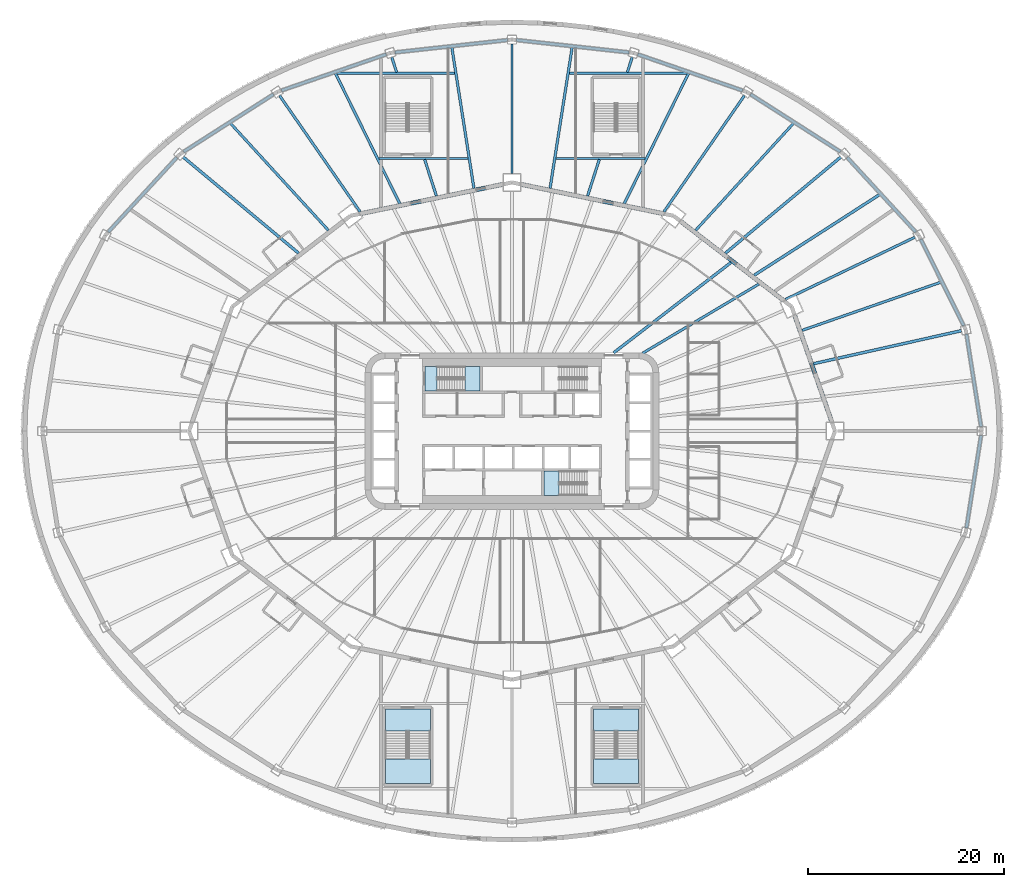
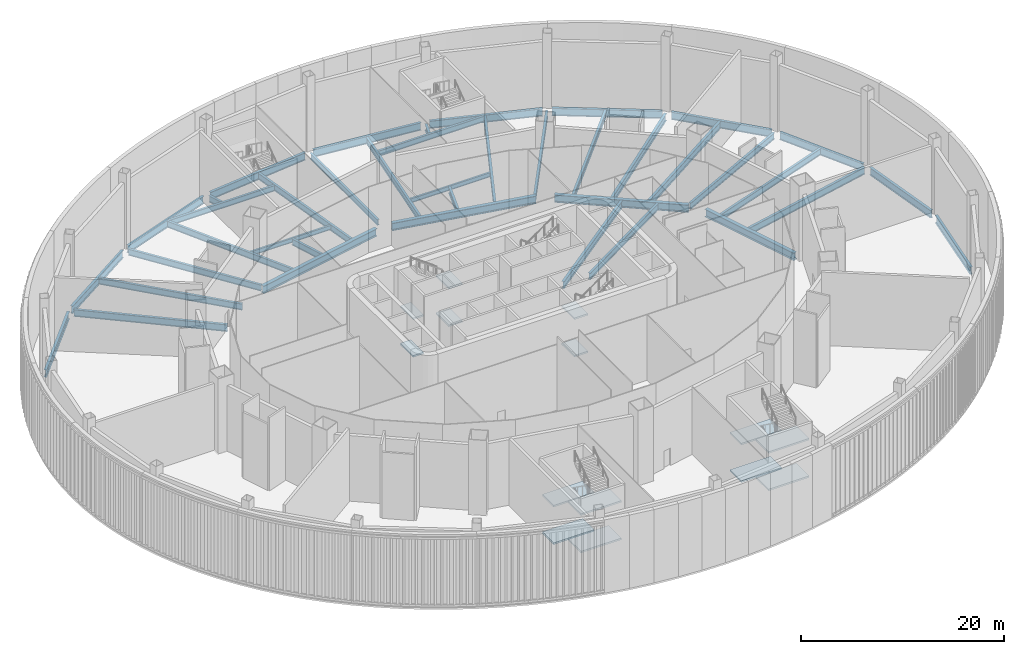
# One storey, part 3 of 35: 40 beams, 14 slabs, 4 elements without a shape of their own.
"""IFC4 building model written with IfcOpenShell, lengths in metres."""

from ifc_helpers import new_model, si_unit, direction, frame, origin, origin_2d, place, context, subcontext, project, spatial, polyline, i_section, outline, extrude, material, layer, layer_set, material_profile, profile_set, type_object, element, aggregate, save


model = new_model("IFC4")

# Units and contexts
model_context = context("Model", 3, precision=1e-05, world=origin(), true_north=direction((0.0, 1.0)))
body_context = subcontext(model_context, "Body", "Model", "MODEL_VIEW")
ifc_project = project(units=[si_unit("LENGTHUNIT", "METRE"), si_unit("AREAUNIT", "SQUARE_METRE"), si_unit("VOLUMEUNIT", "CUBIC_METRE"), si_unit("PLANEANGLEUNIT", "RADIAN"), si_unit("MASSUNIT", "GRAM", prefix="KILO")], contexts=[model_context])

# Site, building, storey
site_placement = place(None, origin())
site = spatial("IfcSite", under=ifc_project, at=site_placement, CompositionType="ELEMENT")
building_placement = place(site_placement, origin())
building = spatial("IfcBuilding", under=site, at=building_placement, Name="Sahrelin Media Tower", CompositionType="ELEMENT")
storey_placement = place(building_placement, frame((0.0, 0.0, 8.0)))
storey = spatial("IfcBuildingStorey", under=building, at=storey_placement, Name="L01", CompositionType="ELEMENT", Elevation=8.0)

# Beams
ifc_material_1 = material(Name="Steel S355", Category="steel")
ifc_material_profile_1 = material_profile(ifc_material_1, i_section(OverallWidth=0.208740234375, OverallDepth=0.5283203125, WebThickness=0.009521484375, FlangeThickness=0.01318359375, FilletRadius=0.0126953125, at=origin_2d()), Name="UB 533x210x82")
ifc_profile_set_1 = profile_set([ifc_material_profile_1], Name="Steel S355")
beam_type_1 = type_object("IfcBeamType", Name="Header beam HB6", PredefinedType="BEAM", material=ifc_profile_set_1)
for number, where, z_axis, x_axis, name in (
    (1, (13.59814453125, 27.85009765625, -0.464111328125), (-1.0, 0.0, 0.0), (0.0, -1.0, 0.0), "Header beam L01-01"),
    (2, (-4.50146484375, 27.85009765625, -0.464111328125), (-1.0, 0.0, 0.0), (0.0, -1.0, 0.0), "Header beam L01-03"),
):
    element("IfcBeam", number, at=place(storey_placement, frame(where, z_axis=z_axis, x_axis=x_axis)), inside=storey, type_object=beam_type_1, Name=name, PredefinedType="BEAM", context=body_context, shape_type="SweptSolid", body=[
        extrude(i_section(OverallWidth=0.208740234375, OverallDepth=0.5283203125, WebThickness=0.009521484375, FlangeThickness=0.01318359375, FilletRadius=0.0126953125, at=origin_2d()), origin(), (0.0, 0.0, 1.0), 9.0966796875),
    ])
ifc_material_profile_2 = material_profile(ifc_material_1, i_section(OverallWidth=0.2529296875, OverallDepth=0.677978515625, WebThickness=0.01171875, FlangeThickness=0.01611328125, FilletRadius=0.01513671875, at=origin_2d()), Name="UB 686x254x125")
ifc_profile_set_2 = profile_set([ifc_material_profile_2], Name="Steel S355")
beam_type_2 = type_object("IfcBeamType", Name="Header beam HB8", PredefinedType="BEAM", material=ifc_profile_set_2)
for number, where, z_axis, x_axis, name in (
    (3, (5.86572265625, 36.550048828125, -0.538818359375), (1.0, 0.0, 0.0), (0.0, 1.0, 0.0), "Header beam L01-02"),
    (4, (-17.892333984375, 36.550048828125, -0.538818359375), (1.0, 0.0, 0.0), (0.0, 1.0, 0.0), "Header beam L01-04"),
):
    element("IfcBeam", number, at=place(storey_placement, frame(where, z_axis=z_axis, x_axis=x_axis)), inside=storey, type_object=beam_type_2, Name=name, PredefinedType="BEAM", context=body_context, shape_type="SweptSolid", body=[
        extrude(i_section(OverallWidth=0.2529296875, OverallDepth=0.677978515625, WebThickness=0.01171875, FlangeThickness=0.01611328125, FilletRadius=0.01513671875, at=origin_2d()), origin(), (0.0, 0.0, 1.0), 12.026611328125),
    ])
ifc_material_profile_3 = material_profile(ifc_material_1, i_section(OverallWidth=0.30322265625, OverallDepth=0.903076171875, WebThickness=0.01513671875, FlangeThickness=0.020263671875, FilletRadius=0.01904296875, at=origin_2d()), Name="UB 914x305x201")
ifc_profile_set_3 = profile_set([ifc_material_profile_3], Name="Steel S355")
beam_type_3 = type_object("IfcBeamType", Name="Podium edge girder PE11", PredefinedType="BEAM", material=ifc_profile_set_3)
beam_1_placement = place(storey_placement, frame((47.928955078125, 0.449951171875, -0.651611328125), z_axis=(-0.156048991104, 0.987749316565, 0.0), x_axis=(-0.987749316565, -0.156048991104, 0.0)))
element("IfcBeam", 5, at=beam_1_placement, inside=storey, type_object=beam_type_3, Name="Podium edge girder L01-01", PredefinedType="BEAM", context=body_context, shape_type="SweptSolid", body=[
    extrude(i_section(OverallWidth=0.30322265625, OverallDepth=0.903076171875, WebThickness=0.01513671875, FlangeThickness=0.020263671875, FilletRadius=0.01904296875, at=origin_2d()), origin(), (0.0, 0.0, 1.0), 9.57470703125),
])
beam_2_placement = place(storey_placement, frame((46.158203125, 10.767822265625, -0.651611328125), z_axis=(-0.445112588569, 0.895474613541, 0.0), x_axis=(-0.895474613541, -0.445112588569, 0.0)))
element("IfcBeam", 6, at=beam_2_placement, inside=storey, type_object=beam_type_3, Name="Podium edge girder L01-02", PredefinedType="BEAM", context=body_context, shape_type="SweptSolid", body=[
    extrude(i_section(OverallWidth=0.30322265625, OverallDepth=0.903076171875, WebThickness=0.01513671875, FlangeThickness=0.020263671875, FilletRadius=0.01904296875, at=origin_2d()), origin(), (0.0, 0.0, 1.0), 9.859619140625),
])
beam_3_placement = place(storey_placement, frame((41.25048828125, 20.34619140625, -0.651611328125), z_axis=(-0.677370529771, 0.735642008995, 0.0), x_axis=(-0.735642008995, -0.677370529771, 0.0)))
element("IfcBeam", 7, at=beam_3_placement, inside=storey, type_object=beam_type_3, Name="Podium edge girder L01-03", PredefinedType="BEAM", context=body_context, shape_type="SweptSolid", body=[
    extrude(i_section(OverallWidth=0.30322265625, OverallDepth=0.903076171875, WebThickness=0.01513671875, FlangeThickness=0.020263671875, FilletRadius=0.01904296875, at=origin_2d()), origin(), (0.0, 0.0, 1.0), 10.340087890625),
])
beam_4_placement = place(storey_placement, frame((33.54345703125, 28.53857421875, -0.651611328125), z_axis=(-0.842485743715, 0.538718638657, 0.0), x_axis=(-0.538718638657, -0.842485743715, 0.0)))
element("IfcBeam", 8, at=beam_4_placement, inside=storey, type_object=beam_type_3, Name="Podium edge girder L01-04", PredefinedType="BEAM", context=body_context, shape_type="SweptSolid", body=[
    extrude(i_section(OverallWidth=0.30322265625, OverallDepth=0.903076171875, WebThickness=0.01513671875, FlangeThickness=0.020263671875, FilletRadius=0.01904296875, at=origin_2d()), origin(), (0.0, 0.0, 1.0), 10.87744140625),
])
beam_5_placement = place(storey_placement, frame((23.55810546875, 34.79345703125, -0.651611328125), z_axis=(-0.94527240249, 0.32628221694, 0.0), x_axis=(-0.32628221694, -0.94527240249, 0.0)))
element("IfcBeam", 9, at=beam_5_placement, inside=storey, type_object=beam_type_3, Name="Podium edge girder L01-05", PredefinedType="BEAM", context=body_context, shape_type="SweptSolid", body=[
    extrude(i_section(OverallWidth=0.30322265625, OverallDepth=0.903076171875, WebThickness=0.01513671875, FlangeThickness=0.020263671875, FilletRadius=0.01904296875, at=origin_2d()), origin(), (0.0, 0.0, 1.0), 11.329345703125),
])
for number, where, z_axis, x_axis, name in (
    (10, (11.966796875, 38.68701171875, -0.651611328125), (-0.994034160473, 0.109069188193, 0.0), (-0.109069188193, -0.994034160473, 0.0), "Podium edge girder L01-06"),
    (11, (-0.449951171875, 39.95068359375, -0.651611328125), (-0.994034160473, -0.109069188193, 0.0), (0.109069188193, -0.994034160473, 0.0), "Podium edge girder L01-07"),
):
    element("IfcBeam", number, at=place(storey_placement, frame(where, z_axis=z_axis, x_axis=x_axis)), inside=storey, type_object=beam_type_3, Name=name, PredefinedType="BEAM", context=body_context, shape_type="SweptSolid", body=[
        extrude(i_section(OverallWidth=0.30322265625, OverallDepth=0.903076171875, WebThickness=0.01513671875, FlangeThickness=0.020263671875, FilletRadius=0.01904296875, at=origin_2d()), origin(), (0.0, 0.0, 1.0), 11.5859375),
    ])
beam_6_placement = place(storey_placement, frame((-12.848876953125, 38.489990234375, -0.651611328125), z_axis=(-0.94527240249, -0.32628221694, 0.0), x_axis=(0.32628221694, -0.94527240249, 0.0)))
element("IfcBeam", 12, at=beam_6_placement, inside=storey, type_object=beam_type_3, Name="Podium edge girder L01-08", PredefinedType="BEAM", context=body_context, shape_type="SweptSolid", body=[
    extrude(i_section(OverallWidth=0.30322265625, OverallDepth=0.903076171875, WebThickness=0.01513671875, FlangeThickness=0.020263671875, FilletRadius=0.01904296875, at=origin_2d()), origin(), (0.0, 0.0, 1.0), 11.329345703125),
])
beam_7_placement = place(storey_placement, frame((-24.37939453125, 34.3984375, -0.651611328125), z_axis=(-0.842485743715, -0.538718638657, 0.0), x_axis=(0.538718638657, -0.842485743715, 0.0)))
element("IfcBeam", 13, at=beam_7_placement, inside=storey, type_object=beam_type_3, Name="Podium edge girder L01-09", PredefinedType="BEAM", context=body_context, shape_type="SweptSolid", body=[
    extrude(i_section(OverallWidth=0.30322265625, OverallDepth=0.903076171875, WebThickness=0.01513671875, FlangeThickness=0.020263671875, FilletRadius=0.01904296875, at=origin_2d()), origin(), (0.0, 0.0, 1.0), 10.87744140625),
])
beam_8_placement = place(storey_placement, frame((-34.246337890625, 27.952880859375, -0.651611328125), z_axis=(-0.677370529771, -0.735642008995, 0.0), x_axis=(0.735642008995, -0.677370529771, 0.0)))
element("IfcBeam", 14, at=beam_8_placement, inside=storey, type_object=beam_type_3, Name="Podium edge girder L01-10", PredefinedType="BEAM", context=body_context, shape_type="SweptSolid", body=[
    extrude(i_section(OverallWidth=0.30322265625, OverallDepth=0.903076171875, WebThickness=0.01513671875, FlangeThickness=0.020263671875, FilletRadius=0.01904296875, at=origin_2d()), origin(), (0.0, 0.0, 1.0), 10.340087890625),
])
beam_9_placement = place(storey_placement, frame((46.434814453125, -9.907470703125, -0.651611328125), z_axis=(0.156048991104, 0.987749316565, 0.0), x_axis=(-0.987749316565, 0.156048991104, 0.0)))
element("IfcBeam", 15, at=beam_9_placement, inside=storey, type_object=beam_type_3, Name="Podium edge girder L01-24", PredefinedType="BEAM", context=body_context, shape_type="SweptSolid", body=[
    extrude(i_section(OverallWidth=0.30322265625, OverallDepth=0.903076171875, WebThickness=0.01513671875, FlangeThickness=0.020263671875, FilletRadius=0.01904296875, at=origin_2d()), origin(), (0.0, 0.0, 1.0), 9.57470703125),
])
ifc_material_profile_4 = material_profile(ifc_material_1, i_section(OverallWidth=0.41845703125, OverallDepth=0.911865234375, WebThickness=0.019287109375, FlangeThickness=0.031982421875, FilletRadius=0.024169921875, at=origin_2d()), Name="UB 914x419x343")
ifc_profile_set_4 = profile_set([ifc_material_profile_4], Name="Steel S355")
beam_type_4 = type_object("IfcBeamType", Name="Podium ring girder PG12", PredefinedType="BEAM", material=ifc_profile_set_4)
beam_10_placement = place(storey_placement, frame((32.686767578125, 0.89990234375, -0.656005859375), z_axis=(-0.328773851324, 0.944408679908, 0.0), x_axis=(-0.944408679908, -0.328773851324, 0.0)))
element("IfcBeam", 16, at=beam_10_placement, inside=storey, type_object=beam_type_4, Name="Podium girder L01-01", PredefinedType="BEAM", context=body_context, shape_type="SweptSolid", body=[
    extrude(i_section(OverallWidth=0.41845703125, OverallDepth=0.911865234375, WebThickness=0.019287109375, FlangeThickness=0.031982421875, FilletRadius=0.024169921875, at=origin_2d()), origin(), (0.0, 0.0, 1.0), 11.591552734375),
])
beam_11_placement = place(storey_placement, frame((27.767578125, 13.324462890625, -0.656005859375), z_axis=(-0.792445416108, 0.609942835428, 0.0), x_axis=(-0.609942835428, -0.792445416108, 0.0)))
element("IfcBeam", 17, at=beam_11_placement, inside=storey, type_object=beam_type_4, Name="Podium girder L01-02", PredefinedType="BEAM", context=body_context, shape_type="SweptSolid", body=[
    extrude(i_section(OverallWidth=0.41845703125, OverallDepth=0.911865234375, WebThickness=0.019287109375, FlangeThickness=0.031982421875, FilletRadius=0.024169921875, at=origin_2d()), origin(), (0.0, 0.0, 1.0), 13.318603515625),
])
for number, where, z_axis, x_axis, name in (
    (18, (15.525634765625, 22.197998046875, -0.656005859375), (-0.979388513106, 0.201985495508, 0.0), (-0.201985495508, -0.979388513106, 0.0), "Podium girder L01-03"),
    (19, (-0.89990234375, 25.21435546875, -0.656005859375), (-0.979388513106, -0.201985495508, 0.0), (0.201985495508, -0.979388513106, 0.0), "Podium girder L01-04"),
):
    element("IfcBeam", number, at=place(storey_placement, frame(where, z_axis=z_axis, x_axis=x_axis)), inside=storey, type_object=beam_type_4, Name=name, PredefinedType="BEAM", context=body_context, shape_type="SweptSolid", body=[
        extrude(i_section(OverallWidth=0.41845703125, OverallDepth=0.911865234375, WebThickness=0.019287109375, FlangeThickness=0.031982421875, FilletRadius=0.024169921875, at=origin_2d()), origin(), (0.0, 0.0, 1.0), 14.93359375),
    ])
ifc_material_profile_5 = material_profile(ifc_material_1, i_section(OverallWidth=0.291748046875, OverallDepth=0.8349609375, WebThickness=0.013916015625, FlangeThickness=0.018798828125, FilletRadius=0.017822265625, at=origin_2d()), Name="UB 838x292x176")
ifc_profile_set_5 = profile_set([ifc_material_profile_5], Name="Steel S355")
beam_type_5 = type_object("IfcBeamType", Name="Radial primary beam PB10", PredefinedType="BEAM", material=ifc_profile_set_5)
beam_12_placement = place(storey_placement, frame((10.393798828125, 8.0, -0.617431640625), z_axis=(0.79244196099, 0.609947324335, 0.0), x_axis=(-0.609947324335, 0.79244196099, 0.0)))
element("IfcBeam", 20, at=beam_12_placement, inside=storey, type_object=beam_type_5, Name="Radial beam L01-04", PredefinedType="BEAM", context=body_context, shape_type="SweptSolid", body=[
    extrude(i_section(OverallWidth=0.291748046875, OverallDepth=0.8349609375, WebThickness=0.013916015625, FlangeThickness=0.018798828125, FilletRadius=0.017822265625, at=origin_2d()), origin(), (0.0, 0.0, 1.0), 15.1103515625),
])
beam_13_placement = place(storey_placement, frame((30.825439453125, 6.883056640625, -0.617431640625), z_axis=(0.975966755314, 0.217919463385, 0.0), x_axis=(-0.217919463385, 0.975966755314, 0.0)))
element("IfcBeam", 21, at=beam_13_placement, inside=storey, type_object=beam_type_5, Name="Radial beam L01-02", PredefinedType="BEAM", context=body_context, shape_type="SweptSolid", body=[
    extrude(i_section(OverallWidth=0.291748046875, OverallDepth=0.8349609375, WebThickness=0.013916015625, FlangeThickness=0.018798828125, FilletRadius=0.017822265625, at=origin_2d()), origin(), (0.0, 0.0, 1.0), 15.4716796875),
])
for number, where, z_axis, x_axis, name in (
    (22, (21.809326171875, 18.174560546875, -0.617431640625), (0.768229105739, 0.640175008178, 0.0), (-0.640175008178, 0.768229105739, 0.0), "Radial beam L01-04"),
    (23, (-21.809326171875, 18.174560546875, -0.617431640625), (-0.768229105739, 0.640175008178, 0.0), (-0.640175008178, -0.768229105739, 0.0), "Radial beam L01-12"),
):
    element("IfcBeam", number, at=place(storey_placement, frame(where, z_axis=z_axis, x_axis=x_axis)), inside=storey, type_object=beam_type_5, Name=name, PredefinedType="BEAM", context=body_context, shape_type="SweptSolid", body=[
        extrude(i_section(OverallWidth=0.291748046875, OverallDepth=0.8349609375, WebThickness=0.013916015625, FlangeThickness=0.018798828125, FilletRadius=0.017822265625, at=origin_2d()), origin(), (0.0, 0.0, 1.0), 15.342041015625),
    ])
ifc_material_profile_6 = material_profile(ifc_material_1, i_section(OverallWidth=0.2529296875, OverallDepth=0.677978515625, WebThickness=0.01171875, FlangeThickness=0.01611328125, FilletRadius=0.01513671875, at=origin_2d()), Name="UB 686x254x125")
ifc_profile_set_6 = profile_set([ifc_material_profile_6], Name="Steel S355")
beam_type_6 = type_object("IfcBeamType", Name="Radial primary beam PB8", PredefinedType="BEAM", material=ifc_profile_set_6)
beam_14_placement = place(storey_placement, frame((0.0, 26.300048828125, -0.538818359375), z_axis=(0.0, 1.0, 0.0), x_axis=(-1.0, 0.0, 0.0)))
element("IfcBeam", 24, at=beam_14_placement, inside=storey, type_object=beam_type_6, Name="Radial beam L01-08", PredefinedType="BEAM", context=body_context, shape_type="SweptSolid", body=[
    extrude(i_section(OverallWidth=0.2529296875, OverallDepth=0.677978515625, WebThickness=0.01171875, FlangeThickness=0.01611328125, FilletRadius=0.01513671875, at=origin_2d()), origin(), (0.0, 0.0, 1.0), 13.25),
])
ifc_material_profile_7 = material_profile(ifc_material_1, i_section(OverallWidth=0.26513671875, OverallDepth=0.75390625, WebThickness=0.0126953125, FlangeThickness=0.017578125, FilletRadius=0.0166015625, at=origin_2d()), Name="UB 762x267x147")
ifc_profile_set_7 = profile_set([ifc_material_profile_7], Name="Steel S355")
beam_type_7 = type_object("IfcBeamType", Name="Radial primary beam PB9", PredefinedType="BEAM", material=ifc_profile_set_7)
beam_15_placement = place(storey_placement, frame((27.950439453125, 13.44775390625, -0.576904296875), z_axis=(0.901130102072, 0.433548773657, 0.0), x_axis=(-0.433548773657, 0.901130102072, 0.0)))
element("IfcBeam", 25, at=beam_15_placement, inside=storey, type_object=beam_type_7, Name="Radial beam L01-03", PredefinedType="BEAM", context=body_context, shape_type="SweptSolid", body=[
    extrude(i_section(OverallWidth=0.26513671875, OverallDepth=0.75390625, WebThickness=0.0126953125, FlangeThickness=0.017578125, FilletRadius=0.0166015625, at=origin_2d()), origin(), (0.0, 0.0, 1.0), 14.6630859375),
])
beam_16_placement = place(storey_placement, frame((15.527099609375, 22.411376953125, -0.576904296875), z_axis=(0.569493278726, 0.821995988729, 0.0), x_axis=(-0.821995988729, 0.569493278726, 0.0)))
element("IfcBeam", 26, at=beam_16_placement, inside=storey, type_object=beam_type_7, Name="Radial beam L01-05", PredefinedType="BEAM", context=body_context, shape_type="SweptSolid", body=[
    extrude(i_section(OverallWidth=0.26513671875, OverallDepth=0.75390625, WebThickness=0.0126953125, FlangeThickness=0.017578125, FilletRadius=0.0166015625, at=origin_2d()), origin(), (0.0, 0.0, 1.0), 14.427734375),
])
beam_17_placement = place(storey_placement, frame((7.7236328125, 24.020751953125, -0.576904296875), z_axis=(0.30607575523, 0.952007159669, 0.0), x_axis=(-0.952007159669, 0.30607575523, 0.0)))
element("IfcBeam", 27, at=beam_17_placement, inside=storey, type_object=beam_type_7, Name="Radial beam L01-06", PredefinedType="BEAM", context=body_context, shape_type="SweptSolid", body=[
    extrude(i_section(OverallWidth=0.26513671875, OverallDepth=0.75390625, WebThickness=0.0126953125, FlangeThickness=0.017578125, FilletRadius=0.0166015625, at=origin_2d()), origin(), (0.0, 0.0, 1.0), 3.917236328125),
])
beam_18_placement = place(storey_placement, frame((11.784423828125, 36.64990234375, -0.576904296875), z_axis=(0.306144333921, 0.951985108501, 0.0), x_axis=(-0.951985108501, 0.306144333921, 0.0)))
element("IfcBeam", 28, at=beam_18_placement, inside=storey, type_object=beam_type_7, Name="Radial beam L01-07", PredefinedType="BEAM", context=body_context, shape_type="SweptSolid", body=[
    extrude(i_section(OverallWidth=0.26513671875, OverallDepth=0.75390625, WebThickness=0.0126953125, FlangeThickness=0.017578125, FilletRadius=0.0166015625, at=origin_2d()), origin(), (0.0, 0.0, 1.0), 1.63720703125),
])
beam_19_placement = place(storey_placement, frame((-7.7236328125, 24.020751953125, -0.576904296875), z_axis=(-0.30607575523, 0.952007159669, 0.0), x_axis=(-0.952007159669, -0.30607575523, 0.0)))
element("IfcBeam", 29, at=beam_19_placement, inside=storey, type_object=beam_type_7, Name="Radial beam L01-09", PredefinedType="BEAM", context=body_context, shape_type="SweptSolid", body=[
    extrude(i_section(OverallWidth=0.26513671875, OverallDepth=0.75390625, WebThickness=0.0126953125, FlangeThickness=0.017578125, FilletRadius=0.0166015625, at=origin_2d()), origin(), (0.0, 0.0, 1.0), 3.917236328125),
])
beam_20_placement = place(storey_placement, frame((-11.784423828125, 36.64990234375, -0.576904296875), z_axis=(-0.306144333921, 0.951985108501, 0.0), x_axis=(-0.951985108501, -0.306144333921, 0.0)))
element("IfcBeam", 30, at=beam_20_placement, inside=storey, type_object=beam_type_7, Name="Radial beam L01-10", PredefinedType="BEAM", context=body_context, shape_type="SweptSolid", body=[
    extrude(i_section(OverallWidth=0.26513671875, OverallDepth=0.75390625, WebThickness=0.0126953125, FlangeThickness=0.017578125, FilletRadius=0.0166015625, at=origin_2d()), origin(), (0.0, 0.0, 1.0), 1.63720703125),
])
beam_21_placement = place(storey_placement, frame((-15.527099609375, 22.411376953125, -0.576904296875), z_axis=(-0.569493278726, 0.821995988729, 0.0), x_axis=(-0.821995988729, -0.569493278726, 0.0)))
element("IfcBeam", 31, at=beam_21_placement, inside=storey, type_object=beam_type_7, Name="Radial beam L01-11", PredefinedType="BEAM", context=body_context, shape_type="SweptSolid", body=[
    extrude(i_section(OverallWidth=0.26513671875, OverallDepth=0.75390625, WebThickness=0.0126953125, FlangeThickness=0.017578125, FilletRadius=0.0166015625, at=origin_2d()), origin(), (0.0, 0.0, 1.0), 14.427734375),
])
ifc_material_profile_8 = material_profile(ifc_material_1, i_section(OverallWidth=0.291748046875, OverallDepth=0.8349609375, WebThickness=0.013916015625, FlangeThickness=0.018798828125, FilletRadius=0.017822265625, at=origin_2d()), Name="UB 838x292x176")
ifc_profile_set_8 = profile_set([ifc_material_profile_8], Name="Steel S355")
beam_type_8 = type_object("IfcBeamType", Name="Radial secondary beam SB10", PredefinedType="BEAM", material=ifc_profile_set_8)
beam_22_placement = place(storey_placement, frame((24.744140625, 15.91552734375, -0.617431640625), z_axis=(0.84104292767, 0.540968385228, 0.0), x_axis=(-0.540968385228, 0.84104292767, 0.0)))
element("IfcBeam", 32, at=beam_22_placement, inside=storey, type_object=beam_type_8, Name="Secondary beam L01-03", PredefinedType="BEAM", context=body_context, shape_type="SweptSolid", body=[
    extrude(i_section(OverallWidth=0.291748046875, OverallDepth=0.8349609375, WebThickness=0.013916015625, FlangeThickness=0.018798828125, FilletRadius=0.017822265625, at=origin_2d()), origin(), (0.0, 0.0, 1.0), 15.218505859375),
])
ifc_material_profile_9 = material_profile(ifc_material_1, i_section(OverallWidth=0.26513671875, OverallDepth=0.75390625, WebThickness=0.0126953125, FlangeThickness=0.017578125, FilletRadius=0.0166015625, at=origin_2d()), Name="UB 762x267x147")
ifc_profile_set_9 = profile_set([ifc_material_profile_9], Name="Steel S355")
beam_type_9 = type_object("IfcBeamType", Name="Radial secondary beam SB9", PredefinedType="BEAM", material=ifc_profile_set_9)
beam_23_placement = place(storey_placement, frame((13.356201171875, 7.953125, -0.576904296875), z_axis=(0.859199265621, 0.511641106594, 0.0), x_axis=(-0.511641106594, 0.859199265621, 0.0)))
element("IfcBeam", 33, at=beam_23_placement, inside=storey, type_object=beam_type_9, Name="Secondary beam L01-03", PredefinedType="BEAM", context=body_context, shape_type="SweptSolid", body=[
    extrude(i_section(OverallWidth=0.26513671875, OverallDepth=0.75390625, WebThickness=0.0126953125, FlangeThickness=0.017578125, FilletRadius=0.0166015625, at=origin_2d()), origin(), (0.0, 0.0, 1.0), 13.810791015625),
])
beam_24_placement = place(storey_placement, frame((29.640380859375, 10.287109375, -0.576904296875), z_axis=(0.944713020182, 0.32789832189, 0.0), x_axis=(-0.32789832189, 0.944713020182, 0.0)))
element("IfcBeam", 34, at=beam_24_placement, inside=storey, type_object=beam_type_9, Name="Secondary beam L01-02", PredefinedType="BEAM", context=body_context, shape_type="SweptSolid", body=[
    extrude(i_section(OverallWidth=0.26513671875, OverallDepth=0.75390625, WebThickness=0.0126953125, FlangeThickness=0.017578125, FilletRadius=0.0166015625, at=origin_2d()), origin(), (0.0, 0.0, 1.0), 14.974609375),
])
beam_25_placement = place(storey_placement, frame((18.7685546875, 20.514892578125, -0.576904296875), z_axis=(0.675004282666, 0.737813810106, 0.0), x_axis=(-0.737813810106, 0.675004282666, 0.0)))
element("IfcBeam", 35, at=beam_25_placement, inside=storey, type_object=beam_type_9, Name="Secondary beam L01-04", PredefinedType="BEAM", context=body_context, shape_type="SweptSolid", body=[
    extrude(i_section(OverallWidth=0.26513671875, OverallDepth=0.75390625, WebThickness=0.0126953125, FlangeThickness=0.017578125, FilletRadius=0.0166015625, at=origin_2d()), origin(), (0.0, 0.0, 1.0), 14.7861328125),
])
beam_26_placement = place(storey_placement, frame((11.47412109375, 23.247314453125, -0.576904296875), z_axis=(0.442602611298, 0.896717864477, 0.0), x_axis=(-0.896717864477, 0.442602611298, 0.0)))
element("IfcBeam", 36, at=beam_26_placement, inside=storey, type_object=beam_type_9, Name="Secondary beam L01-05", PredefinedType="BEAM", context=body_context, shape_type="SweptSolid", body=[
    extrude(i_section(OverallWidth=0.26513671875, OverallDepth=0.75390625, WebThickness=0.0126953125, FlangeThickness=0.017578125, FilletRadius=0.0166015625, at=origin_2d()), origin(), (0.0, 0.0, 1.0), 14.8232421875),
])
for number, where, z_axis, x_axis, name in (
    (37, (3.890869140625, 24.811279296875, -0.576904296875), (0.154919883605, 0.987927036609, 0.0), (-0.987927036609, 0.154919883605, 0.0), "Secondary beam L01-06"),
    (38, (-3.890869140625, 24.811279296875, -0.576904296875), (-0.154919883605, 0.987927036609, 0.0), (-0.987927036609, -0.154919883605, 0.0), "Secondary beam L01-07"),
):
    element("IfcBeam", number, at=place(storey_placement, frame(where, z_axis=z_axis, x_axis=x_axis)), inside=storey, type_object=beam_type_9, Name=name, PredefinedType="BEAM", context=body_context, shape_type="SweptSolid", body=[
        extrude(i_section(OverallWidth=0.26513671875, OverallDepth=0.75390625, WebThickness=0.0126953125, FlangeThickness=0.017578125, FilletRadius=0.0166015625, at=origin_2d()), origin(), (0.0, 0.0, 1.0), 14.537841796875),
    ])
beam_27_placement = place(storey_placement, frame((-11.47412109375, 23.247314453125, -0.576904296875), z_axis=(-0.442602611298, 0.896717864477, 0.0), x_axis=(-0.896717864477, -0.442602611298, 0.0)))
element("IfcBeam", 39, at=beam_27_placement, inside=storey, type_object=beam_type_9, Name="Secondary beam L01-08", PredefinedType="BEAM", context=body_context, shape_type="SweptSolid", body=[
    extrude(i_section(OverallWidth=0.26513671875, OverallDepth=0.75390625, WebThickness=0.0126953125, FlangeThickness=0.017578125, FilletRadius=0.0166015625, at=origin_2d()), origin(), (0.0, 0.0, 1.0), 14.8232421875),
])
beam_28_placement = place(storey_placement, frame((-18.7685546875, 20.514892578125, -0.576904296875), z_axis=(-0.675004282666, 0.737813810106, 0.0), x_axis=(-0.737813810106, -0.675004282666, 0.0)))
element("IfcBeam", 40, at=beam_28_placement, inside=storey, type_object=beam_type_9, Name="Secondary beam L01-09", PredefinedType="BEAM", context=body_context, shape_type="SweptSolid", body=[
    extrude(i_section(OverallWidth=0.26513671875, OverallDepth=0.75390625, WebThickness=0.0126953125, FlangeThickness=0.017578125, FilletRadius=0.0166015625, at=origin_2d()), origin(), (0.0, 0.0, 1.0), 14.7861328125),
])

# Stair, slabs
ifc_material_2 = material(Name="Concrete C40/50", Category="concrete")
stair_type_1 = type_object("IfcStairType", Name="Exit stair 1200", PredefinedType="HALF_TURN_STAIR", material=ifc_material_2)
placement_1 = place(storey_placement, origin())
stair_1 = element("IfcStair", 41, at=placement_1, inside=storey, type_object=stair_type_1, Name="L01 Exit stair ST1", PredefinedType="HALF_TURN_STAIR")
ifc_layer = layer(ifc_material_2, 0.199951171875)
ifc_layer_set = layer_set([ifc_layer], Name="Stair landing 200")
slab_type = type_object("IfcSlabType", Name="Stair landing 200", PredefinedType="LANDING", material=ifc_layer_set)
placement_2 = place(storey_placement, frame((0.0, 0.0, 2.050048828125)))
slab_1 = element("IfcSlab", 42, at=placement_2, type_object=slab_type, Name="ST1 landing 1", PredefinedType="LANDING", context=body_context, shape_type="SweptSolid", body=[
    extrude(outline(polyline([(-4.81494140625, 4.10009765625), (-3.27490234375, 4.10009765625), (-3.27490234375, 6.60009765625), (-4.81494140625, 6.60009765625), (-4.81494140625, 4.10009765625)])), origin(), (0.0, 0.0, 1.0), 0.199951171875),
])
placement_3 = place(storey_placement, frame((0.0, 0.0, 4.300048828125)))
slab_2 = element("IfcSlab", 43, at=placement_3, type_object=slab_type, Name="ST1 landing 2", PredefinedType="LANDING", context=body_context, shape_type="SweptSolid", body=[
    extrude(outline(polyline([(-8.875, 4.10009765625), (-7.675048828125, 4.10009765625), (-7.675048828125, 6.60009765625), (-8.875, 6.60009765625), (-8.875, 4.10009765625)])), origin(), (0.0, 0.0, 1.0), 0.199951171875),
])
placement_4 = place(storey_placement, frame((0.0, 0.0, 6.550048828125)))
slab_3 = element("IfcSlab", 44, at=placement_4, type_object=slab_type, Name="ST1 landing 3", PredefinedType="LANDING", context=body_context, shape_type="SweptSolid", body=[
    extrude(outline(polyline([(-4.81494140625, 4.10009765625), (-3.27490234375, 4.10009765625), (-3.27490234375, 6.60009765625), (-4.81494140625, 6.60009765625), (-4.81494140625, 4.10009765625)])), origin(), (0.0, 0.0, 1.0), 0.199951171875),
])
placement_5 = place(storey_placement, frame((0.0, 0.0, -0.199951171875)))
slab_4 = element("IfcSlab", 45, at=placement_5, type_object=slab_type, Name="ST1 landing 4", PredefinedType="LANDING", context=body_context, shape_type="SweptSolid", body=[
    extrude(outline(polyline([(-8.875, 4.10009765625), (-7.675048828125, 4.10009765625), (-7.675048828125, 6.60009765625), (-8.875, 6.60009765625), (-8.875, 4.10009765625)])), origin(), (0.0, 0.0, 1.0), 0.199951171875),
])
aggregate(stair_1, [slab_1, slab_2, slab_3, slab_4])

stair_2 = element("IfcStair", 46, at=placement_1, inside=storey, type_object=stair_type_1, Name="L01 Exit stair ST2", PredefinedType="HALF_TURN_STAIR")
slab_5 = element("IfcSlab", 47, at=placement_2, type_object=slab_type, Name="ST2 landing 1", PredefinedType="LANDING", context=body_context, shape_type="SweptSolid", body=[
    extrude(outline(polyline([(4.81494140625, -4.10009765625), (3.27490234375, -4.10009765625), (3.27490234375, -6.60009765625), (4.81494140625, -6.60009765625), (4.81494140625, -4.10009765625)])), origin(), (0.0, 0.0, 1.0), 0.199951171875),
])
slab_6 = element("IfcSlab", 48, at=placement_4, type_object=slab_type, Name="ST2 landing 3", PredefinedType="LANDING", context=body_context, shape_type="SweptSolid", body=[
    extrude(outline(polyline([(4.81494140625, -4.10009765625), (3.27490234375, -4.10009765625), (3.27490234375, -6.60009765625), (4.81494140625, -6.60009765625), (4.81494140625, -4.10009765625)])), origin(), (0.0, 0.0, 1.0), 0.199951171875),
])
aggregate(stair_2, [slab_5, slab_6])

stair_type_2 = type_object("IfcStairType", Name="Podium stair 2225", PredefinedType="HALF_TURN_STAIR", material=ifc_material_2)
stair_3 = element("IfcStair", 49, at=placement_1, inside=storey, type_object=stair_type_2, Name="L01 Podium stair PS3", PredefinedType="HALF_TURN_STAIR")
slab_7 = element("IfcSlab", 50, at=placement_2, type_object=slab_type, Name="PS3 landing 1", PredefinedType="LANDING", context=body_context, shape_type="SweptSolid", body=[
    extrude(outline(polyline([(-12.949951171875, -33.485107421875), (-12.949951171875, -36.0), (-8.35009765625, -36.0), (-8.35009765625, -33.485107421875), (-12.949951171875, -33.485107421875)])), origin(), (0.0, 0.0, 1.0), 0.199951171875),
])
slab_8 = element("IfcSlab", 51, at=placement_3, type_object=slab_type, Name="PS3 landing 2", PredefinedType="LANDING", context=body_context, shape_type="SweptSolid", body=[
    extrude(outline(polyline([(-12.949951171875, -28.39990234375), (-12.949951171875, -30.625), (-8.35009765625, -30.625), (-8.35009765625, -28.39990234375), (-12.949951171875, -28.39990234375)])), origin(), (0.0, 0.0, 1.0), 0.199951171875),
])
slab_9 = element("IfcSlab", 52, at=placement_4, type_object=slab_type, Name="PS3 landing 3", PredefinedType="LANDING", context=body_context, shape_type="SweptSolid", body=[
    extrude(outline(polyline([(-12.949951171875, -33.485107421875), (-12.949951171875, -36.0), (-8.35009765625, -36.0), (-8.35009765625, -33.485107421875), (-12.949951171875, -33.485107421875)])), origin(), (0.0, 0.0, 1.0), 0.199951171875),
])
slab_10 = element("IfcSlab", 53, at=placement_5, type_object=slab_type, Name="PS3 landing 4", PredefinedType="LANDING", context=body_context, shape_type="SweptSolid", body=[
    extrude(outline(polyline([(-12.949951171875, -28.39990234375), (-12.949951171875, -30.625), (-8.35009765625, -30.625), (-8.35009765625, -28.39990234375), (-12.949951171875, -28.39990234375)])), origin(), (0.0, 0.0, 1.0), 0.199951171875),
])
aggregate(stair_3, [slab_7, slab_8, slab_9, slab_10])

stair_4 = element("IfcStair", 54, at=placement_1, inside=storey, type_object=stair_type_2, Name="L01 Podium stair PS4", PredefinedType="HALF_TURN_STAIR")
slab_11 = element("IfcSlab", 55, at=placement_2, type_object=slab_type, Name="PS4 landing 1", PredefinedType="LANDING", context=body_context, shape_type="SweptSolid", body=[
    extrude(outline(polyline([(8.35009765625, -33.485107421875), (8.35009765625, -36.0), (12.949951171875, -36.0), (12.949951171875, -33.485107421875), (8.35009765625, -33.485107421875)])), origin(), (0.0, 0.0, 1.0), 0.199951171875),
])
slab_12 = element("IfcSlab", 56, at=placement_3, type_object=slab_type, Name="PS4 landing 2", PredefinedType="LANDING", context=body_context, shape_type="SweptSolid", body=[
    extrude(outline(polyline([(8.35009765625, -28.39990234375), (8.35009765625, -30.625), (12.949951171875, -30.625), (12.949951171875, -28.39990234375), (8.35009765625, -28.39990234375)])), origin(), (0.0, 0.0, 1.0), 0.199951171875),
])
slab_13 = element("IfcSlab", 57, at=placement_4, type_object=slab_type, Name="PS4 landing 3", PredefinedType="LANDING", context=body_context, shape_type="SweptSolid", body=[
    extrude(outline(polyline([(8.35009765625, -33.485107421875), (8.35009765625, -36.0), (12.949951171875, -36.0), (12.949951171875, -33.485107421875), (8.35009765625, -33.485107421875)])), origin(), (0.0, 0.0, 1.0), 0.199951171875),
])
slab_14 = element("IfcSlab", 58, at=placement_5, type_object=slab_type, Name="PS4 landing 4", PredefinedType="LANDING", context=body_context, shape_type="SweptSolid", body=[
    extrude(outline(polyline([(8.35009765625, -28.39990234375), (8.35009765625, -30.625), (12.949951171875, -30.625), (12.949951171875, -28.39990234375), (8.35009765625, -28.39990234375)])), origin(), (0.0, 0.0, 1.0), 0.199951171875),
])
aggregate(stair_4, [slab_11, slab_12, slab_13, slab_14])

save(model, "model.ifc")
